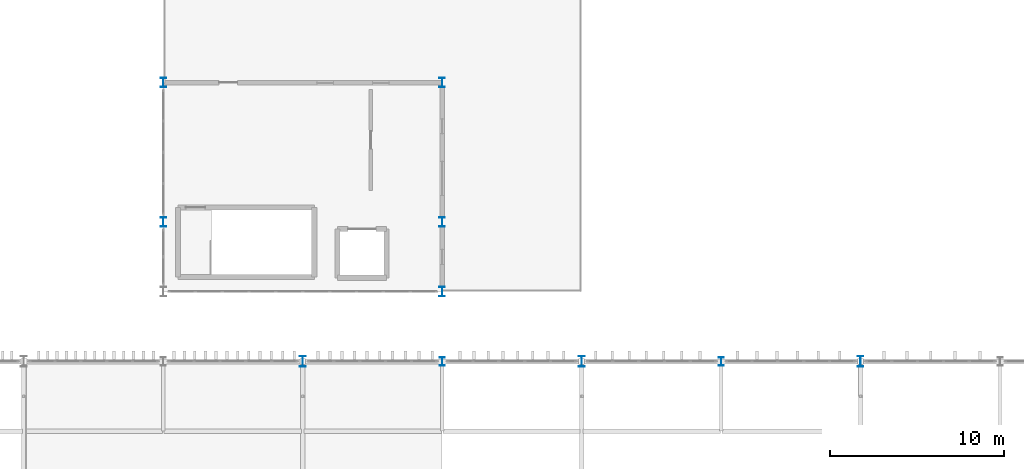
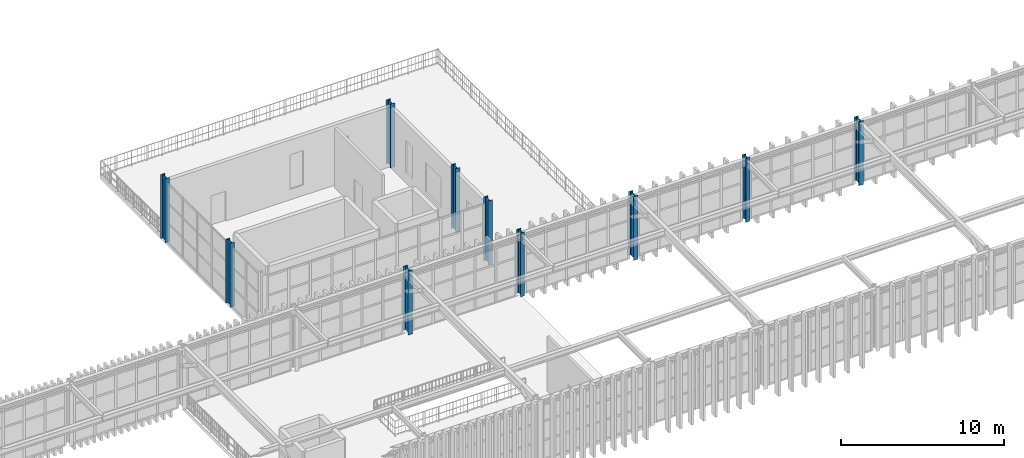
# One storey, part 8 of 61: 10 columns.
"""IFC4 building model written with IfcOpenShell, lengths in metres."""

from ifc_helpers import new_model, si_unit, direction, frame, origin, origin_2d, place, context, subcontext, project, spatial, i_section, extrude, material, material_profile, profile_set, type_object, element, save


model = new_model("IFC4")

# Units and contexts
model_context = context("Model", 3, precision=1e-05, world=origin(), true_north=direction((0.0, 1.0)))
body_context = subcontext(model_context, "Body", "Model", "MODEL_VIEW")
ifc_project = project(units=[si_unit("LENGTHUNIT", "METRE"), si_unit("AREAUNIT", "SQUARE_METRE"), si_unit("VOLUMEUNIT", "CUBIC_METRE"), si_unit("PLANEANGLEUNIT", "RADIAN"), si_unit("MASSUNIT", "GRAM", prefix="KILO")], contexts=[model_context])

# Site, building, storey
site_placement = place(None, origin())
site = spatial("IfcSite", under=ifc_project, at=site_placement, CompositionType="ELEMENT")
building_placement = place(site_placement, origin())
building = spatial("IfcBuilding", under=site, at=building_placement, Name="Serraluz Foothill Cableway Terminal", CompositionType="ELEMENT")
storey_placement = place(building_placement, frame((0.0, 0.0, 15.0)))
storey = spatial("IfcBuildingStorey", under=building, at=storey_placement, Name="L03", CompositionType="ELEMENT", Elevation=15.0)

# Columns
ifc_material = material(Name="Steel ASTM A992 Grade 50", Category="steel")
ifc_material_profile_1 = material_profile(ifc_material, i_section(OverallWidth=0.282958984375, OverallDepth=0.471923828125, WebThickness=0.013671875, FlangeThickness=0.022216796875, FilletRadius=0.014892578125, at=origin_2d()), Name="W18X97")
ifc_profile_set_1 = profile_set([ifc_material_profile_1], Name="Steel ASTM A992 Grade 50")
column_type_1 = type_object("IfcColumnType", Name="TYP-COL-W18X97", PredefinedType="COLUMN", material=ifc_profile_set_1)
for number, where, z_axis, x_axis, name in (
    (1, (96.0, 72.0, 0.0), (0.0, 0.0, 1.0), (1.0, 0.0, 0.0), "Column COL-V1-N-96-L03"),
    (2, (112.0, 72.0, 0.0), (0.0, 0.0, 1.0), (1.0, 0.0, 0.0), "Column COL-V1-N-112-L03"),
):
    element("IfcColumn", number, at=place(storey_placement, frame(where, z_axis=z_axis, x_axis=x_axis)), inside=storey, type_object=column_type_1, Name=name, PredefinedType="COLUMN", context=body_context, shape_type="SweptSolid", body=[
        extrude(i_section(OverallWidth=0.282958984375, OverallDepth=0.471923828125, WebThickness=0.013671875, FlangeThickness=0.022216796875, FilletRadius=0.014892578125, at=origin_2d()), origin(), (0.0, 0.0, 1.0), 4.800048828125),
    ])
ifc_material_profile_2 = material_profile(ifc_material, i_section(OverallWidth=0.31201171875, OverallDepth=0.54296875, WebThickness=0.0126953125, FlangeThickness=0.020263671875, FilletRadius=0.01611328125, at=origin_2d()), Name="W21X101")
ifc_profile_set_2 = profile_set([ifc_material_profile_2], Name="Steel ASTM A992 Grade 50")
column_type_2 = type_object("IfcColumnType", Name="TYP-COL-W21X101", PredefinedType="COLUMN", material=ifc_profile_set_2)
for number, where, z_axis, x_axis, name in (
    (3, (80.0, 80.0, 0.0), (0.0, 0.0, 1.0), (1.0, 0.0, 0.0), "Column COL-V4-80-800-L03"),
    (4, (80.0, 88.0, 0.0), (0.0, 0.0, 1.0), (1.0, 0.0, 0.0), "Column COL-V4-80-880-L03"),
    (5, (96.0, 76.0, 0.0), (0.0, 0.0, 1.0), (1.0, 0.0, 0.0), "Column COL-V4-96-760-L03"),
    (6, (96.0, 80.0, 0.0), (0.0, 0.0, 1.0), (1.0, 0.0, 0.0), "Column COL-V4-96-800-L03"),
    (7, (96.0, 88.0, 0.0), (0.0, 0.0, 1.0), (1.0, 0.0, 0.0), "Column COL-V4-96-880-L03"),
):
    element("IfcColumn", number, at=place(storey_placement, frame(where, z_axis=z_axis, x_axis=x_axis)), inside=storey, type_object=column_type_2, Name=name, PredefinedType="COLUMN", context=body_context, shape_type="SweptSolid", body=[
        extrude(i_section(OverallWidth=0.31201171875, OverallDepth=0.54296875, WebThickness=0.0126953125, FlangeThickness=0.020263671875, FilletRadius=0.01611328125, at=origin_2d()), origin(), (0.0, 0.0, 1.0), 4.800048828125),
    ])
ifc_material_profile_3 = material_profile(ifc_material, i_section(OverallWidth=0.324951171875, OverallDepth=0.615966796875, WebThickness=0.013916015625, FlangeThickness=0.021484375, FilletRadius=0.01806640625, at=origin_2d()), Name="W24X117")
ifc_profile_set_3 = profile_set([ifc_material_profile_3], Name="Steel ASTM A992 Grade 50")
column_type_3 = type_object("IfcColumnType", Name="TYP-COL-W24X117", PredefinedType="COLUMN", material=ifc_profile_set_3)
for number, where, z_axis, x_axis, name in (
    (8, (88.0, 72.0, 0.0), (0.0, 0.0, 1.0), (1.0, 0.0, 0.0), "Column COL-V1-N-88-L03"),
    (9, (104.0, 72.0, 0.0), (0.0, 0.0, 1.0), (1.0, 0.0, 0.0), "Column COL-V1-N-104-L03"),
    (10, (120.0, 72.0, 0.0), (0.0, 0.0, 1.0), (1.0, 0.0, 0.0), "Column COL-V1-N-120-L03"),
):
    element("IfcColumn", number, at=place(storey_placement, frame(where, z_axis=z_axis, x_axis=x_axis)), inside=storey, type_object=column_type_3, Name=name, PredefinedType="COLUMN", context=body_context, shape_type="SweptSolid", body=[
        extrude(i_section(OverallWidth=0.324951171875, OverallDepth=0.615966796875, WebThickness=0.013916015625, FlangeThickness=0.021484375, FilletRadius=0.01806640625, at=origin_2d()), origin(), (0.0, 0.0, 1.0), 4.800048828125),
    ])

save(model, "model.ifc")
